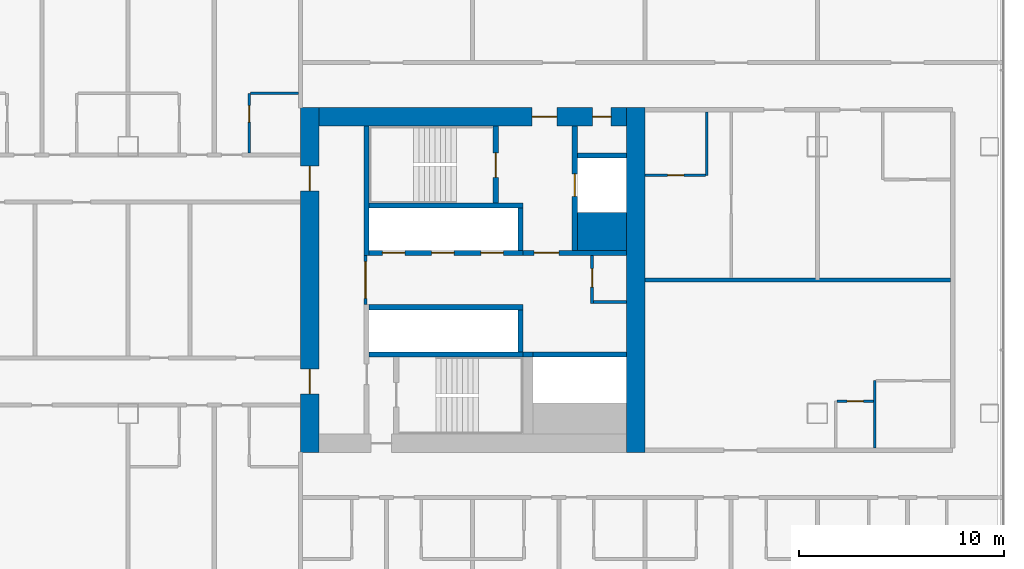
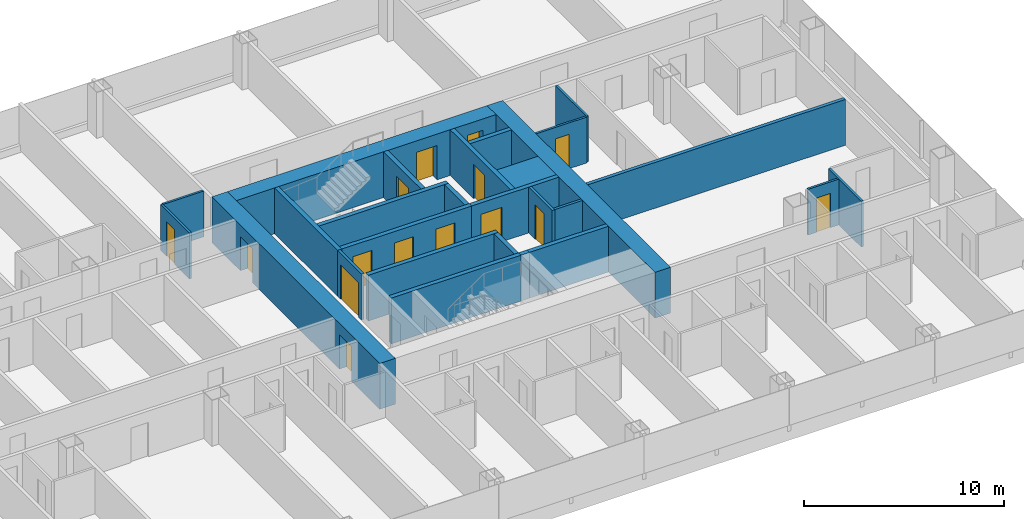
# One storey, part 19 of 29: 27 walls, 15 doors, 15 openings.
"""IFC4 building model written with IfcOpenShell, lengths in metres."""

from ifc_helpers import new_model, si_unit, direction, frame, frame_2d, origin, place, context, subcontext, project, spatial, rectangle, extrude, material, layer, layer_set, type_object, element, fill, save


model = new_model("IFC4")

# Units and contexts
model_context = context("Model", 3, precision=1e-05, world=origin(), true_north=direction((0.0, 1.0)))
body_context = subcontext(model_context, "Body", "Model", "MODEL_VIEW")
ifc_project = project(units=[si_unit("LENGTHUNIT", "METRE"), si_unit("AREAUNIT", "SQUARE_METRE"), si_unit("VOLUMEUNIT", "CUBIC_METRE"), si_unit("PLANEANGLEUNIT", "RADIAN"), si_unit("MASSUNIT", "GRAM", prefix="KILO")], contexts=[model_context])

# Site, building, storey
site_placement = place(None, origin())
site = spatial("IfcSite", under=ifc_project, at=site_placement, CompositionType="ELEMENT")
building_placement = place(site_placement, origin())
building = spatial("IfcBuilding", under=site, at=building_placement, Name="Hakoniwa Tower and Hamabe Station Hall", CompositionType="ELEMENT")
storey_placement = place(building_placement, frame((0.0, 0.0, 23.0)))
storey = spatial("IfcBuildingStorey", under=building, at=storey_placement, Name="L05", CompositionType="ELEMENT", Elevation=23.0)

# Wall, opening, door
ifc_material_1 = material(Name="Gypsum board partition", Category="gypsum")
ifc_layer_1 = layer(ifc_material_1, 0.125)
ifc_layer_set_1 = layer_set([ifc_layer_1], Name="Bathroom Partition 125")
wall_type_1 = type_object("IfcWallType", Name="Bathroom Partition 125", PredefinedType="PARTITIONING", material=ifc_layer_set_1)
wall_1_placement = place(storey_placement, frame((42.96240234375, -5.89990234375, 0.0), z_axis=(0.0, 0.0, 1.0), x_axis=(1.0, 0.0, 0.0)))
wall_1 = element("IfcWall", 1, at=wall_1_placement, inside=storey, type_object=wall_type_1, Name="GW-L05-021", PredefinedType="PARTITIONING", context=body_context, shape_type="SweptSolid", body=[
    extrude(rectangle(XDim=1.775146484375, YDim=0.125, at=frame_2d((0.8876953125, 0.0))), origin(), (0.0, 0.0, 1.0), 2.800048828125),
])
opening_1_placement = place(wall_1_placement, frame((0.487548828125, 0.0, 0.0)))
opening_1 = element("IfcOpeningElement", 2, at=opening_1_placement, cuts=wall_1, Name="Opening GD-G1B0-26", PredefinedType="OPENING", context=body_context, shape_type="SweptSolid", body=[
    extrude(rectangle(XDim=0.800048828125, YDim=2.10009765625, at=frame_2d((0.39990234375, 1.050048828125))), frame((0.0, 0.072509765625, 0.0), z_axis=(0.0, -1.0, 0.0), x_axis=(1.0, 0.0, 0.0)), (0.0, 0.0, 1.0), 0.14501953125),
])
ifc_material_2 = material(Name="Timber door leaf", Category="wood")
door_type_1 = type_object("IfcDoorType", Name="Bathroom Door 800", OperationType="SINGLE_SWING_LEFT", PredefinedType="DOOR", material=ifc_material_2)
door_1_placement = place(opening_1_placement, origin())
door_1 = element("IfcDoor", 3, at=door_1_placement, inside=storey, type_object=door_type_1, Name="Door GD-G1B0-26", OperationType="SINGLE_SWING_RIGHT", OverallHeight=2.10009765625, OverallWidth=0.800048828125, PredefinedType="DOOR", context=body_context, shape_type="SweptSolid", body=[
    extrude(rectangle(XDim=0.800048828125, YDim=2.10009765625, at=frame_2d((0.39990234375, 1.050048828125))), frame((0.0, 0.02490234375, 0.0), z_axis=(0.0, -1.0, 0.0), x_axis=(1.0, 0.0, 0.0)), (0.0, 0.0, 1.0), 0.050048828125),
])
fill(opening_1, door_1)

wall_2_placement = place(storey_placement, frame((33.60009765625, 5.10009765625, 0.0), z_axis=(0.0, 0.0, 1.0), x_axis=(1.0, 0.0, 0.0)))
wall_2 = element("IfcWall", 4, at=wall_2_placement, inside=storey, type_object=wall_type_1, Name="GW-L05-030", PredefinedType="PARTITIONING", context=body_context, shape_type="SweptSolid", body=[
    extrude(rectangle(XDim=2.9375, YDim=0.125, at=frame_2d((1.46875, 0.0))), origin(), (0.0, 0.0, 1.0), 2.800048828125),
])
opening_2_placement = place(wall_2_placement, frame((1.10009765625, 0.0, 0.0)))
opening_2 = element("IfcOpeningElement", 5, at=opening_2_placement, cuts=wall_2, Name="Opening GD-G1B0-40", PredefinedType="OPENING", context=body_context, shape_type="SweptSolid", body=[
    extrude(rectangle(XDim=0.800048828125, YDim=2.10009765625, at=frame_2d((0.39990234375, 1.050048828125))), frame((0.0, 0.072509765625, 0.0), z_axis=(0.0, -1.0, 0.0), x_axis=(1.0, 0.0, 0.0)), (0.0, 0.0, 1.0), 0.14501953125),
])
door_2_placement = place(opening_2_placement, origin())
door_2 = element("IfcDoor", 6, at=door_2_placement, inside=storey, type_object=door_type_1, Name="Door GD-G1B0-40", OperationType="SINGLE_SWING_LEFT", OverallHeight=2.10009765625, OverallWidth=0.800048828125, PredefinedType="DOOR", context=body_context, shape_type="SweptSolid", body=[
    extrude(rectangle(XDim=0.800048828125, YDim=2.10009765625, at=frame_2d((0.39990234375, 1.050048828125))), frame((0.0, 0.02490234375, 0.0), z_axis=(0.0, -1.0, 0.0), x_axis=(1.0, 0.0, 0.0)), (0.0, 0.0, 1.0), 0.050048828125),
])
fill(opening_2, door_2)

# Wall
wall_3_placement = place(storey_placement, frame((14.362548828125, 9.10009765625, 0.0), z_axis=(0.0, 0.0, 1.0), x_axis=(1.0, 0.0, 0.0)))
element("IfcWall", 7, at=wall_3_placement, inside=storey, type_object=wall_type_1, Name="GW-L05-039", PredefinedType="PARTITIONING", context=body_context, shape_type="SweptSolid", body=[
    extrude(rectangle(XDim=2.33740234375, YDim=0.125, at=frame_2d((1.168701171875, 0.0))), origin(), (0.0, 0.0, 1.0), 2.800048828125),
])

# Wall, opening, door
wall_4_placement = place(storey_placement, frame((14.300048828125, 6.199951171875, 0.0), z_axis=(0.0, 0.0, 1.0), x_axis=(0.0, 1.0, 0.0)))
wall_4 = element("IfcWall", 8, at=wall_4_placement, inside=storey, type_object=wall_type_1, Name="GW-L05-112", PredefinedType="PARTITIONING", context=body_context, shape_type="SweptSolid", body=[
    extrude(rectangle(XDim=2.900146484375, YDim=0.125, at=frame_2d((1.4501953125, 0.0))), origin(), (0.0, 0.0, 1.0), 2.800048828125),
])
opening_3_placement = place(wall_4_placement, frame((1.5, 0.0, 0.0)))
opening_3 = element("IfcOpeningElement", 9, at=opening_3_placement, cuts=wall_4, Name="Opening GD-G1B0-89", PredefinedType="OPENING", context=body_context, shape_type="SweptSolid", body=[
    extrude(rectangle(XDim=0.800048828125, YDim=2.10009765625, at=frame_2d((0.39990234375, 1.050048828125))), frame((0.0, 0.072509765625, 0.0), z_axis=(0.0, -1.0, 0.0), x_axis=(1.0, 0.0, 0.0)), (0.0, 0.0, 1.0), 0.14501953125),
])
door_3_placement = place(opening_3_placement, origin())
door_3 = element("IfcDoor", 10, at=door_3_placement, inside=storey, type_object=door_type_1, Name="Door GD-G1B0-89", OperationType="SINGLE_SWING_RIGHT", OverallHeight=2.10009765625, OverallWidth=0.800048828125, PredefinedType="DOOR", context=body_context, shape_type="SweptSolid", body=[
    extrude(rectangle(XDim=0.800048828125, YDim=2.10009765625, at=frame_2d((0.39990234375, 1.050048828125))), frame((0.0, 0.02490234375, 0.0), z_axis=(0.0, -1.0, 0.0), x_axis=(1.0, 0.0, 0.0)), (0.0, 0.0, 1.0), 0.050048828125),
])
fill(opening_3, door_3)

# Walls
wall_5_placement = place(storey_placement, frame((36.60009765625, 5.10009765625, 0.0), z_axis=(0.0, 0.0, 1.0), x_axis=(0.0, 1.0, 0.0)))
element("IfcWall", 11, at=wall_5_placement, inside=storey, type_object=wall_type_1, Name="GW-L05-126", PredefinedType="PARTITIONING", context=body_context, shape_type="SweptSolid", body=[
    extrude(rectangle(XDim=3.099853515625, YDim=0.125, at=frame_2d((1.5498046875, 0.0))), origin(), (0.0, 0.0, 1.0), 2.800048828125),
])
wall_6_placement = place(storey_placement, frame((44.800048828125, -8.199951171875, 0.0), z_axis=(0.0, 0.0, 1.0), x_axis=(0.0, 1.0, 0.0)))
element("IfcWall", 12, at=wall_6_placement, inside=storey, type_object=wall_type_1, Name="GW-L05-135", PredefinedType="PARTITIONING", context=body_context, shape_type="SweptSolid", body=[
    extrude(rectangle(XDim=3.300048828125, YDim=0.125, at=frame_2d((1.64990234375, 0.0))), origin(), (0.0, 0.0, 1.0), 2.800048828125),
])

# Wall, opening, door
ifc_material_3 = material(Name="Gypsum board partition")
ifc_layer_2 = layer(ifc_material_3, 0.14990234375)
ifc_layer_set_2 = layer_set([ifc_layer_2], Name="CORE PARTITION 150 EI 60")
wall_type_2 = type_object("IfcWallType", Name="CORE PARTITION 150 EI 60", PredefinedType="PARTITIONING", material=ifc_layer_set_2)
wall_7_placement = place(storey_placement, frame((19.97509765625, -1.199951171875, 0.0), z_axis=(0.0, 0.0, 1.0), x_axis=(0.0, 1.0, 0.0)))
wall_7 = element("IfcWall", 13, at=wall_7_placement, inside=storey, type_object=wall_type_2, Name="Core partition PL0 east", PredefinedType="PARTITIONING", context=body_context, shape_type="SweptSolid", body=[
    extrude(rectangle(XDim=2.39990234375, YDim=0.14990234375, at=frame_2d((1.199951171875, 0.0))), origin(), (0.0, 0.0, 1.0), 2.800048828125),
])
opening_4_placement = place(wall_7_placement, frame((0.300048828125, 0.0, 0.0)))
opening_4 = element("IfcOpeningElement", 14, at=opening_4_placement, cuts=wall_7, Name="Opening CD-E-LP0-18", PredefinedType="OPENING", context=body_context, shape_type="SweptSolid", body=[
    extrude(rectangle(XDim=1.800048828125, YDim=2.10009765625, at=frame_2d((0.89990234375, 1.050048828125))), frame((0.0, 0.0849609375, 0.0), z_axis=(0.0, -1.0, 0.0), x_axis=(1.0, 0.0, 0.0)), (0.0, 0.0, 1.0), 0.169921875),
])
ifc_material_4 = material(Name="Steel fire door", Category="steel")
door_type_2 = type_object("IfcDoorType", Name="CORE DOOR 1800 FD60", OperationType="DOUBLE_DOOR_SINGLE_SWING", PredefinedType="DOOR", material=ifc_material_4)
door_4_placement = place(opening_4_placement, origin())
door_4 = element("IfcDoor", 15, at=door_4_placement, inside=storey, type_object=door_type_2, Name="Lift lobby partition door", OperationType="DOUBLE_DOOR_SINGLE_SWING", OverallHeight=2.10009765625, OverallWidth=1.800048828125, PredefinedType="DOOR", context=body_context, shape_type="SweptSolid", body=[
    extrude(rectangle(XDim=1.800048828125, YDim=2.10009765625, at=frame_2d((0.89990234375, 1.050048828125))), frame((0.0, 0.02490234375, 0.0), z_axis=(0.0, -1.0, 0.0), x_axis=(1.0, 0.0, 0.0)), (0.0, 0.0, 1.0), 0.050048828125),
])
fill(opening_4, door_4)

wall_8_placement = place(storey_placement, frame((31.02490234375, -1.14990234375, 0.0), z_axis=(0.0, 0.0, 1.0), x_axis=(0.0, 1.0, 0.0)))
wall_8 = element("IfcWall", 16, at=wall_8_placement, inside=storey, type_object=wall_type_2, Name="Core partition PW0 east", PredefinedType="PARTITIONING", context=body_context, shape_type="SweptSolid", body=[
    extrude(rectangle(XDim=2.349853515625, YDim=0.14990234375, at=frame_2d((1.1748046875, 0.0))), origin(), (0.0, 0.0, 1.0), 2.800048828125),
])
opening_5_placement = place(wall_8_placement, frame((0.800048828125, 0.0, 0.0)))
opening_5 = element("IfcOpeningElement", 17, at=opening_5_placement, cuts=wall_8, Name="Opening CD-E-RM1-9", PredefinedType="OPENING", context=body_context, shape_type="SweptSolid", body=[
    extrude(rectangle(XDim=0.89990234375, YDim=2.10009765625, at=frame_2d((0.449951171875, 1.050048828125))), frame((0.0, 0.0849609375, 0.0), z_axis=(0.0, -1.0, 0.0), x_axis=(1.0, 0.0, 0.0)), (0.0, 0.0, 1.0), 0.169921875),
])
ifc_material_5 = material(Name="Steel fire door", Category="steel")
door_type_3 = type_object("IfcDoorType", Name="CORE DOOR 900 FD30", OperationType="NOTDEFINED", PredefinedType="DOOR", material=ifc_material_5)
door_5_placement = place(opening_5_placement, origin())
door_5 = element("IfcDoor", 18, at=door_5_placement, inside=storey, type_object=door_type_3, Name="Store room door", OperationType="SINGLE_SWING_RIGHT", OverallHeight=2.10009765625, OverallWidth=0.89990234375, PredefinedType="DOOR", context=body_context, shape_type="SweptSolid", body=[
    extrude(rectangle(XDim=0.89990234375, YDim=2.10009765625, at=frame_2d((0.449951171875, 1.050048828125))), frame((0.0, 0.02490234375, 0.0), z_axis=(0.0, -1.0, 0.0), x_axis=(1.0, 0.0, 0.0)), (0.0, 0.0, 1.0), 0.050048828125),
])
fill(opening_5, door_5)

# Wall
wall_9_placement = place(storey_placement, frame((31.10009765625, -1.074951171875, 0.0), z_axis=(0.0, 0.0, 1.0), x_axis=(1.0, 0.0, 0.0)))
element("IfcWall", 19, at=wall_9_placement, inside=storey, type_object=wall_type_2, Name="Core partition PS east", PredefinedType="PARTITIONING", context=body_context, shape_type="SweptSolid", body=[
    extrude(rectangle(XDim=1.599853515625, YDim=0.14990234375, at=frame_2d((0.7998046875, 0.0))), origin(), (0.0, 0.0, 1.0), 2.800048828125),
])

# Wall, openings, doors
ifc_material_6 = material(Name="Concrete C80", Category="concrete")
ifc_layer_3 = layer(ifc_material_6, 0.89990234375)
ifc_layer_set_3 = layer_set([ifc_layer_3], Name="CORE WALL 900 C80")
wall_type_3 = type_object("IfcWallType", Name="CORE WALL 900 C80", PredefinedType="SHEAR", material=ifc_layer_set_3)
wall_10_placement = place(storey_placement, frame((17.25, -8.39990234375, 0.0), z_axis=(0.0, 0.0, 1.0), x_axis=(0.0, 1.0, 0.0)))
wall_10 = element("IfcWall", 20, at=wall_10_placement, inside=storey, type_object=wall_type_3, Name="Core wall INNER east", PredefinedType="SHEAR", context=body_context, shape_type="SweptSolid", body=[
    extrude(rectangle(XDim=16.7998046875, YDim=0.89990234375, at=frame_2d((8.39990234375, 0.0))), origin(), (0.0, 0.0, 1.0), 2.800048828125),
])
opening_6_placement = place(wall_10_placement, frame((12.75, 0.0, 0.0)))
opening_6 = element("IfcOpeningElement", 21, at=opening_6_placement, cuts=wall_10, Name="Opening CD-E-IN1-12", PredefinedType="OPENING", context=body_context, shape_type="SweptSolid", body=[
    extrude(rectangle(XDim=1.199951171875, YDim=2.10009765625, at=frame_2d((0.60009765625, 1.050048828125))), frame((0.0, 0.4599609375, 0.0), z_axis=(0.0, -1.0, 0.0), x_axis=(1.0, 0.0, 0.0)), (0.0, 0.0, 1.0), 0.919921875),
])
opening_7_placement = place(wall_10_placement, frame((2.85009765625, 0.0, 0.0)))
opening_7 = element("IfcOpeningElement", 22, at=opening_7_placement, cuts=wall_10, Name="Opening CD-E-IN2-12", PredefinedType="OPENING", context=body_context, shape_type="SweptSolid", body=[
    extrude(rectangle(XDim=1.199951171875, YDim=2.10009765625, at=frame_2d((0.60009765625, 1.050048828125))), frame((0.0, 0.4599609375, 0.0), z_axis=(0.0, -1.0, 0.0), x_axis=(1.0, 0.0, 0.0)), (0.0, 0.0, 1.0), 0.919921875),
])
ifc_material_7 = material(Name="Steel fire door", Category="steel")
door_type_4 = type_object("IfcDoorType", Name="CORE DOOR 1200 FD60", OperationType="DOUBLE_DOOR_SINGLE_SWING", PredefinedType="DOOR", material=ifc_material_7)
door_6_placement = place(opening_6_placement, origin())
door_6 = element("IfcDoor", 23, at=door_6_placement, inside=storey, type_object=door_type_4, Name="Lift lobby door", OperationType="DOUBLE_DOOR_SINGLE_SWING", OverallHeight=2.10009765625, OverallWidth=1.199951171875, PredefinedType="DOOR", context=body_context, shape_type="SweptSolid", body=[
    extrude(rectangle(XDim=1.199951171875, YDim=2.10009765625, at=frame_2d((0.60009765625, 1.050048828125))), frame((0.0, 0.02490234375, 0.0), z_axis=(0.0, -1.0, 0.0), x_axis=(1.0, 0.0, 0.0)), (0.0, 0.0, 1.0), 0.050048828125),
])
fill(opening_6, door_6)
door_7_placement = place(opening_7_placement, origin())
door_7 = element("IfcDoor", 24, at=door_7_placement, inside=storey, type_object=door_type_4, Name="Lift lobby door", OperationType="DOUBLE_DOOR_SINGLE_SWING", OverallHeight=2.10009765625, OverallWidth=1.199951171875, PredefinedType="DOOR", context=body_context, shape_type="SweptSolid", body=[
    extrude(rectangle(XDim=1.199951171875, YDim=2.10009765625, at=frame_2d((0.60009765625, 1.050048828125))), frame((0.0, 0.02490234375, 0.0), z_axis=(0.0, -1.0, 0.0), x_axis=(1.0, 0.0, 0.0)), (0.0, 0.0, 1.0), 0.050048828125),
])
fill(opening_7, door_7)

# Wall
wall_11_placement = place(storey_placement, frame((33.14990234375, -8.39990234375, 0.0), z_axis=(0.0, 0.0, 1.0), x_axis=(0.0, 1.0, 0.0)))
element("IfcWall", 25, at=wall_11_placement, inside=storey, type_object=wall_type_3, Name="Core wall OUTER east", PredefinedType="SHEAR", context=body_context, shape_type="SweptSolid", body=[
    extrude(rectangle(XDim=16.7998046875, YDim=0.89990234375, at=frame_2d((8.39990234375, 0.0))), origin(), (0.0, 0.0, 1.0), 2.800048828125),
])

# Wall, openings, doors
wall_12_placement = place(storey_placement, frame((17.699951171875, 7.949951171875, 0.0), z_axis=(0.0, 0.0, 1.0), x_axis=(1.0, 0.0, 0.0)))
wall_12 = element("IfcWall", 26, at=wall_12_placement, inside=storey, type_object=wall_type_3, Name="Core wall NORTH east", PredefinedType="SHEAR", context=body_context, shape_type="SweptSolid", body=[
    extrude(rectangle(XDim=15.0, YDim=0.89990234375, at=frame_2d((7.5, 0.0))), origin(), (0.0, 0.0, 1.0), 2.800048828125),
])
opening_8_placement = place(wall_12_placement, frame((10.39990234375, 0.0, 0.0)))
opening_8 = element("IfcOpeningElement", 27, at=opening_8_placement, cuts=wall_12, Name="Opening CD-E-FN1-12", PredefinedType="OPENING", context=body_context, shape_type="SweptSolid", body=[
    extrude(rectangle(XDim=1.199951171875, YDim=2.10009765625, at=frame_2d((0.60009765625, 1.050048828125))), frame((0.0, 0.4599609375, 0.0), z_axis=(0.0, -1.0, 0.0), x_axis=(1.0, 0.0, 0.0)), (0.0, 0.0, 1.0), 0.919921875),
])
opening_9_placement = place(wall_12_placement, frame((13.35009765625, 0.0, 0.0)))
opening_9 = element("IfcOpeningElement", 28, at=opening_9_placement, cuts=wall_12, Name="Opening CD-E-FN2-9", PredefinedType="OPENING", context=body_context, shape_type="SweptSolid", body=[
    extrude(rectangle(XDim=0.89990234375, YDim=2.10009765625, at=frame_2d((0.449951171875, 1.050048828125))), frame((0.0, 0.4599609375, 0.0), z_axis=(0.0, -1.0, 0.0), x_axis=(1.0, 0.0, 0.0)), (0.0, 0.0, 1.0), 0.919921875),
])
door_8_placement = place(opening_8_placement, origin())
door_8 = element("IfcDoor", 29, at=door_8_placement, inside=storey, type_object=door_type_4, Name="Stair vestibule door to the fire-fighting lobby", OperationType="DOUBLE_DOOR_SINGLE_SWING", OverallHeight=2.10009765625, OverallWidth=1.199951171875, PredefinedType="DOOR", context=body_context, shape_type="SweptSolid", body=[
    extrude(rectangle(XDim=1.199951171875, YDim=2.10009765625, at=frame_2d((0.60009765625, 1.050048828125))), frame((0.0, 0.02490234375, 0.0), z_axis=(0.0, -1.0, 0.0), x_axis=(1.0, 0.0, 0.0)), (0.0, 0.0, 1.0), 0.050048828125),
])
fill(opening_8, door_8)
door_9_placement = place(opening_9_placement, origin())
door_9 = element("IfcDoor", 30, at=door_9_placement, inside=storey, type_object=door_type_3, Name="Riser access door", OperationType="SINGLE_SWING_RIGHT", OverallHeight=2.10009765625, OverallWidth=0.89990234375, PredefinedType="DOOR", context=body_context, shape_type="SweptSolid", body=[
    extrude(rectangle(XDim=0.89990234375, YDim=2.10009765625, at=frame_2d((0.449951171875, 1.050048828125))), frame((0.0, 0.02490234375, 0.0), z_axis=(0.0, -1.0, 0.0), x_axis=(1.0, 0.0, 0.0)), (0.0, 0.0, 1.0), 0.050048828125),
])
fill(opening_9, door_9)

# Walls
ifc_material_8 = material(Name="Concrete C80", Category="concrete")
ifc_layer_4 = layer(ifc_material_8, 1.85009765625)
ifc_layer_set_4 = layer_set([ifc_layer_4], Name="CORE WEB WALL 1850 C80")
wall_type_4 = type_object("IfcWallType", Name="CORE WEB WALL 1850 C80", PredefinedType="SHEAR", material=ifc_layer_set_4)
wall_13_placement = place(storey_placement, frame((30.300048828125, 2.375, 0.0), z_axis=(0.0, 0.0, 1.0), x_axis=(1.0, 0.0, 0.0)))
element("IfcWall", 31, at=wall_13_placement, inside=storey, type_object=wall_type_4, Name="Core wall CA east", PredefinedType="SHEAR", context=body_context, shape_type="SweptSolid", body=[
    extrude(rectangle(XDim=2.39990234375, YDim=1.85009765625, at=frame_2d((1.199951171875, 0.0))), origin(), (0.0, 0.0, 1.0), 2.800048828125),
])
ifc_material_9 = material(Name="Concrete C80", Category="concrete")
ifc_layer_5 = layer(ifc_material_9, 0.25)
ifc_layer_set_5 = layer_set([ifc_layer_5], Name="CORE WEB WALL 250 C80")
wall_type_5 = type_object("IfcWallType", Name="CORE WEB WALL 250 C80", PredefinedType="SHEAR", material=ifc_layer_set_5)
wall_14_placement = place(storey_placement, frame((20.02490234375, 1.199951171875, 0.0), z_axis=(0.0, 0.0, 1.0), x_axis=(0.0, 1.0, 0.0)))
element("IfcWall", 32, at=wall_14_placement, inside=storey, type_object=wall_type_5, Name="Core wall W1N east", PredefinedType="SHEAR", context=body_context, shape_type="SweptSolid", body=[
    extrude(rectangle(XDim=6.300048828125, YDim=0.25, at=frame_2d((3.14990234375, 0.0))), origin(), (0.0, 0.0, 1.0), 2.800048828125),
])

# Wall, openings, doors
wall_15_placement = place(storey_placement, frame((20.14990234375, 1.324951171875, 0.0), z_axis=(0.0, 0.0, 1.0), x_axis=(1.0, 0.0, 0.0)))
wall_15 = element("IfcWall", 33, at=wall_15_placement, inside=storey, type_object=wall_type_5, Name="Core wall NF east", PredefinedType="SHEAR", context=body_context, shape_type="SweptSolid", body=[
    extrude(rectangle(XDim=7.5, YDim=0.25, at=frame_2d((3.75, 0.0))), origin(), (0.0, 0.0, 1.0), 2.800048828125),
])
opening_10_placement = place(wall_15_placement, frame((0.64990234375, 0.0, 0.0)))
opening_10 = element("IfcOpeningElement", 34, at=opening_10_placement, cuts=wall_15, Name="Opening LD-LR4", PredefinedType="OPENING", context=body_context, shape_type="SweptSolid", body=[
    extrude(rectangle(XDim=1.10009765625, YDim=2.10009765625, at=frame_2d((0.550048828125, 1.050048828125))), frame((0.0, 0.135009765625, 0.0), z_axis=(0.0, -1.0, 0.0), x_axis=(1.0, 0.0, 0.0)), (0.0, 0.0, 1.0), 0.27001953125),
])
opening_11_placement = place(wall_15_placement, frame((3.050048828125, 0.0, 0.0)))
opening_11 = element("IfcOpeningElement", 35, at=opening_11_placement, cuts=wall_15, Name="Opening LD-LR5", PredefinedType="OPENING", context=body_context, shape_type="SweptSolid", body=[
    extrude(rectangle(XDim=1.10009765625, YDim=2.10009765625, at=frame_2d((0.550048828125, 1.050048828125))), frame((0.0, 0.135009765625, 0.0), z_axis=(0.0, -1.0, 0.0), x_axis=(1.0, 0.0, 0.0)), (0.0, 0.0, 1.0), 0.27001953125),
])
opening_12_placement = place(wall_15_placement, frame((5.449951171875, 0.0, 0.0)))
opening_12 = element("IfcOpeningElement", 36, at=opening_12_placement, cuts=wall_15, Name="Opening LD-LR6", PredefinedType="OPENING", context=body_context, shape_type="SweptSolid", body=[
    extrude(rectangle(XDim=1.10009765625, YDim=2.10009765625, at=frame_2d((0.550048828125, 1.050048828125))), frame((0.0, 0.135009765625, 0.0), z_axis=(0.0, -1.0, 0.0), x_axis=(1.0, 0.0, 0.0)), (0.0, 0.0, 1.0), 0.27001953125),
])
ifc_material_10 = material(Name="Stainless steel SUS304", Category="steel")
door_type_5 = type_object("IfcDoorType", Name="LIFT LANDING DOOR 1100 FD60", OperationType="DOUBLE_DOOR_SLIDING", PredefinedType="DOOR", material=ifc_material_10)
door_10_placement = place(opening_10_placement, origin())
door_10 = element("IfcDoor", 37, at=door_10_placement, inside=storey, type_object=door_type_5, Name="Lift landing door LR4 L05", OperationType="DOUBLE_DOOR_SLIDING", OverallHeight=2.10009765625, OverallWidth=1.10009765625, PredefinedType="DOOR", context=body_context, shape_type="SweptSolid", body=[
    extrude(rectangle(XDim=1.10009765625, YDim=2.10009765625, at=frame_2d((0.550048828125, 1.050048828125))), frame((0.0, 0.02490234375, 0.0), z_axis=(0.0, -1.0, 0.0), x_axis=(1.0, 0.0, 0.0)), (0.0, 0.0, 1.0), 0.050048828125),
])
fill(opening_10, door_10)
door_11_placement = place(opening_11_placement, origin())
door_11 = element("IfcDoor", 38, at=door_11_placement, inside=storey, type_object=door_type_5, Name="Lift landing door LR5 L05", OperationType="DOUBLE_DOOR_SLIDING", OverallHeight=2.10009765625, OverallWidth=1.10009765625, PredefinedType="DOOR", context=body_context, shape_type="SweptSolid", body=[
    extrude(rectangle(XDim=1.10009765625, YDim=2.10009765625, at=frame_2d((0.550048828125, 1.050048828125))), frame((0.0, 0.02490234375, 0.0), z_axis=(0.0, -1.0, 0.0), x_axis=(1.0, 0.0, 0.0)), (0.0, 0.0, 1.0), 0.050048828125),
])
fill(opening_11, door_11)
door_12_placement = place(opening_12_placement, origin())
door_12 = element("IfcDoor", 39, at=door_12_placement, inside=storey, type_object=door_type_5, Name="Lift landing door LR6 L05", OperationType="DOUBLE_DOOR_SLIDING", OverallHeight=2.10009765625, OverallWidth=1.10009765625, PredefinedType="DOOR", context=body_context, shape_type="SweptSolid", body=[
    extrude(rectangle(XDim=1.10009765625, YDim=2.10009765625, at=frame_2d((0.550048828125, 1.050048828125))), frame((0.0, 0.02490234375, 0.0), z_axis=(0.0, -1.0, 0.0), x_axis=(1.0, 0.0, 0.0)), (0.0, 0.0, 1.0), 0.050048828125),
])
fill(opening_12, door_12)

# Walls
wall_16_placement = place(storey_placement, frame((27.52490234375, 1.449951171875, 0.0), z_axis=(0.0, 0.0, 1.0), x_axis=(0.0, 1.0, 0.0)))
element("IfcWall", 40, at=wall_16_placement, inside=storey, type_object=wall_type_5, Name="Core wall NE east", PredefinedType="SHEAR", context=body_context, shape_type="SweptSolid", body=[
    extrude(rectangle(XDim=2.050048828125, YDim=0.25, at=frame_2d((1.02490234375, 0.0))), origin(), (0.0, 0.0, 1.0), 2.800048828125),
])
wall_17_placement = place(storey_placement, frame((20.14990234375, 3.625, 0.0), z_axis=(0.0, 0.0, 1.0), x_axis=(1.0, 0.0, 0.0)))
element("IfcWall", 41, at=wall_17_placement, inside=storey, type_object=wall_type_5, Name="Core wall NR east", PredefinedType="SHEAR", context=body_context, shape_type="SweptSolid", body=[
    extrude(rectangle(XDim=7.5, YDim=0.25, at=frame_2d((3.75, 0.0))), origin(), (0.0, 0.0, 1.0), 2.800048828125),
])

# Wall, opening, door
wall_18_placement = place(storey_placement, frame((26.324951171875, 3.75, 0.0), z_axis=(0.0, 0.0, 1.0), x_axis=(0.0, 1.0, 0.0)))
wall_18 = element("IfcWall", 42, at=wall_18_placement, inside=storey, type_object=wall_type_5, Name="Core wall NSE east", PredefinedType="SHEAR", context=body_context, shape_type="SweptSolid", body=[
    extrude(rectangle(XDim=3.75, YDim=0.25, at=frame_2d((1.875, 0.0))), origin(), (0.0, 0.0, 1.0), 2.800048828125),
])
opening_13_placement = place(wall_18_placement, frame((1.25, 0.0, 0.0)))
opening_13 = element("IfcOpeningElement", 43, at=opening_13_placement, cuts=wall_18, Name="Opening CD-E-SN-12", PredefinedType="OPENING", context=body_context, shape_type="SweptSolid", body=[
    extrude(rectangle(XDim=1.199951171875, YDim=2.10009765625, at=frame_2d((0.60009765625, 1.050048828125))), frame((0.0, 0.135009765625, 0.0), z_axis=(0.0, -1.0, 0.0), x_axis=(1.0, 0.0, 0.0)), (0.0, 0.0, 1.0), 0.27001953125),
])
door_13_placement = place(opening_13_placement, origin())
door_13 = element("IfcDoor", 44, at=door_13_placement, inside=storey, type_object=door_type_4, Name="Escape stair door", OperationType="DOUBLE_DOOR_SINGLE_SWING", OverallHeight=2.10009765625, OverallWidth=1.199951171875, PredefinedType="DOOR", context=body_context, shape_type="SweptSolid", body=[
    extrude(rectangle(XDim=1.199951171875, YDim=2.10009765625, at=frame_2d((0.60009765625, 1.050048828125))), frame((0.0, 0.02490234375, 0.0), z_axis=(0.0, -1.0, 0.0), x_axis=(1.0, 0.0, 0.0)), (0.0, 0.0, 1.0), 0.050048828125),
])
fill(opening_13, door_13)

wall_19_placement = place(storey_placement, frame((27.64990234375, 1.324951171875, 0.0), z_axis=(0.0, 0.0, 1.0), x_axis=(1.0, 0.0, 0.0)))
wall_19 = element("IfcWall", 45, at=wall_19_placement, inside=storey, type_object=wall_type_5, Name="Core wall ELN east", PredefinedType="SHEAR", context=body_context, shape_type="SweptSolid", body=[
    extrude(rectangle(XDim=5.050048828125, YDim=0.25, at=frame_2d((2.52490234375, 0.0))), origin(), (0.0, 0.0, 1.0), 2.800048828125),
])
opening_14_placement = place(wall_19_placement, frame((0.550048828125, 0.0, 0.0)))
opening_14 = element("IfcOpeningElement", 46, at=opening_14_placement, cuts=wall_19, Name="Opening CD-E-FL-12", PredefinedType="OPENING", context=body_context, shape_type="SweptSolid", body=[
    extrude(rectangle(XDim=1.199951171875, YDim=2.10009765625, at=frame_2d((0.60009765625, 1.050048828125))), frame((0.0, 0.135009765625, 0.0), z_axis=(0.0, -1.0, 0.0), x_axis=(1.0, 0.0, 0.0)), (0.0, 0.0, 1.0), 0.27001953125),
])
door_14_placement = place(opening_14_placement, origin())
door_14 = element("IfcDoor", 47, at=door_14_placement, inside=storey, type_object=door_type_4, Name="Stair vestibule door to the fire-fighting lobby", OperationType="DOUBLE_DOOR_SINGLE_SWING", OverallHeight=2.10009765625, OverallWidth=1.199951171875, PredefinedType="DOOR", context=body_context, shape_type="SweptSolid", body=[
    extrude(rectangle(XDim=1.199951171875, YDim=2.10009765625, at=frame_2d((0.60009765625, 1.050048828125))), frame((0.0, 0.02490234375, 0.0), z_axis=(0.0, -1.0, 0.0), x_axis=(1.0, 0.0, 0.0)), (0.0, 0.0, 1.0), 0.050048828125),
])
fill(opening_14, door_14)

wall_20_placement = place(storey_placement, frame((30.175048828125, 1.449951171875, 0.0), z_axis=(0.0, 0.0, 1.0), x_axis=(0.0, 1.0, 0.0)))
wall_20 = element("IfcWall", 48, at=wall_20_placement, inside=storey, type_object=wall_type_5, Name="Core wall FFF east", PredefinedType="SHEAR", context=body_context, shape_type="SweptSolid", body=[
    extrude(rectangle(XDim=6.050048828125, YDim=0.25, at=frame_2d((3.02490234375, 0.0))), origin(), (0.0, 0.0, 1.0), 2.800048828125),
])
opening_15_placement = place(wall_20_placement, frame((2.625, 0.0, 0.0)))
opening_15 = element("IfcOpeningElement", 49, at=opening_15_placement, cuts=wall_20, Name="Opening LD-FF2", PredefinedType="OPENING", context=body_context, shape_type="SweptSolid", body=[
    extrude(rectangle(XDim=1.10009765625, YDim=2.10009765625, at=frame_2d((0.550048828125, 1.050048828125))), frame((0.0, 0.135009765625, 0.0), z_axis=(0.0, -1.0, 0.0), x_axis=(1.0, 0.0, 0.0)), (0.0, 0.0, 1.0), 0.27001953125),
])
door_15_placement = place(opening_15_placement, origin())
door_15 = element("IfcDoor", 50, at=door_15_placement, inside=storey, type_object=door_type_5, Name="Lift landing door FF2 L05", OperationType="DOUBLE_DOOR_SLIDING", OverallHeight=2.10009765625, OverallWidth=1.10009765625, PredefinedType="DOOR", context=body_context, shape_type="SweptSolid", body=[
    extrude(rectangle(XDim=1.10009765625, YDim=2.10009765625, at=frame_2d((0.550048828125, 1.050048828125))), frame((0.0, 0.02490234375, 0.0), z_axis=(0.0, -1.0, 0.0), x_axis=(1.0, 0.0, 0.0)), (0.0, 0.0, 1.0), 0.050048828125),
])
fill(opening_15, door_15)

# Walls
wall_21_placement = place(storey_placement, frame((30.300048828125, 6.074951171875, 0.0), z_axis=(0.0, 0.0, 1.0), x_axis=(1.0, 0.0, 0.0)))
element("IfcWall", 51, at=wall_21_placement, inside=storey, type_object=wall_type_5, Name="Core wall C2 east", PredefinedType="SHEAR", context=body_context, shape_type="SweptSolid", body=[
    extrude(rectangle(XDim=2.39990234375, YDim=0.25, at=frame_2d((1.199951171875, 0.0))), origin(), (0.0, 0.0, 1.0), 2.800048828125),
])
wall_22_placement = place(storey_placement, frame((20.14990234375, -1.324951171875, 0.0), z_axis=(0.0, 0.0, 1.0), x_axis=(1.0, 0.0, 0.0)))
element("IfcWall", 52, at=wall_22_placement, inside=storey, type_object=wall_type_5, Name="Core wall SF east", PredefinedType="SHEAR", context=body_context, shape_type="SweptSolid", body=[
    extrude(rectangle(XDim=7.5, YDim=0.25, at=frame_2d((3.75, 0.0))), origin(), (0.0, 0.0, 1.0), 2.800048828125),
])
wall_23_placement = place(storey_placement, frame((27.52490234375, -3.5, 0.0), z_axis=(0.0, 0.0, 1.0), x_axis=(0.0, 1.0, 0.0)))
element("IfcWall", 53, at=wall_23_placement, inside=storey, type_object=wall_type_5, Name="Core wall SE east", PredefinedType="SHEAR", context=body_context, shape_type="SweptSolid", body=[
    extrude(rectangle(XDim=2.050048828125, YDim=0.25, at=frame_2d((1.02490234375, 0.0))), origin(), (0.0, 0.0, 1.0), 2.800048828125),
])
wall_24_placement = place(storey_placement, frame((20.14990234375, -3.625, 0.0), z_axis=(0.0, 0.0, 1.0), x_axis=(1.0, 0.0, 0.0)))
element("IfcWall", 54, at=wall_24_placement, inside=storey, type_object=wall_type_5, Name="Core wall SR east", PredefinedType="SHEAR", context=body_context, shape_type="SweptSolid", body=[
    extrude(rectangle(XDim=7.5, YDim=0.25, at=frame_2d((3.75, 0.0))), origin(), (0.0, 0.0, 1.0), 2.800048828125),
])
wall_25_placement = place(storey_placement, frame((28.14990234375, -3.625, 0.0), z_axis=(0.0, 0.0, 1.0), x_axis=(1.0, 0.0, 0.0)))
element("IfcWall", 55, at=wall_25_placement, inside=storey, type_object=wall_type_5, Name="Core wall SEF east", PredefinedType="SHEAR", context=body_context, shape_type="SweptSolid", body=[
    extrude(rectangle(XDim=4.550048828125, YDim=0.25, at=frame_2d((2.27490234375, 0.0))), origin(), (0.0, 0.0, 1.0), 2.800048828125),
])
wall_26_placement = place(storey_placement, frame((27.64990234375, -3.625, 0.0), z_axis=(0.0, 0.0, 1.0), x_axis=(1.0, 0.0, 0.0)))
element("IfcWall", 56, at=wall_26_placement, inside=storey, type_object=wall_type_5, Name="Core wall SRK east", PredefinedType="SHEAR", context=body_context, shape_type="SweptSolid", body=[
    extrude(rectangle(XDim=0.5, YDim=0.25, at=frame_2d((0.25, 0.0))), origin(), (0.0, 0.0, 1.0), 2.800048828125),
])
ifc_material_11 = material(Name="Fire-rated gypsum board partition", Category="gypsum")
ifc_layer_6 = layer(ifc_material_11, 0.199951171875)
ifc_layer_set_6 = layer_set([ifc_layer_6], Name="Party Wall 200")
wall_type_6 = type_object("IfcWallType", Name="Party Wall 200", PredefinedType="PARTITIONING", material=ifc_layer_set_6)
wall_27_placement = place(storey_placement, frame((33.60009765625, 0.0, 0.0), z_axis=(0.0, 0.0, 1.0), x_axis=(1.0, 0.0, 0.0)))
element("IfcWall", 57, at=wall_27_placement, inside=storey, type_object=wall_type_6, Name="GW-L05-026", PredefinedType="PARTITIONING", context=body_context, shape_type="SweptSolid", body=[
    extrude(rectangle(XDim=14.89990234375, YDim=0.199951171875, at=frame_2d((7.449951171875, 0.0))), origin(), (0.0, 0.0, 1.0), 2.800048828125),
])

save(model, "model.ifc")
